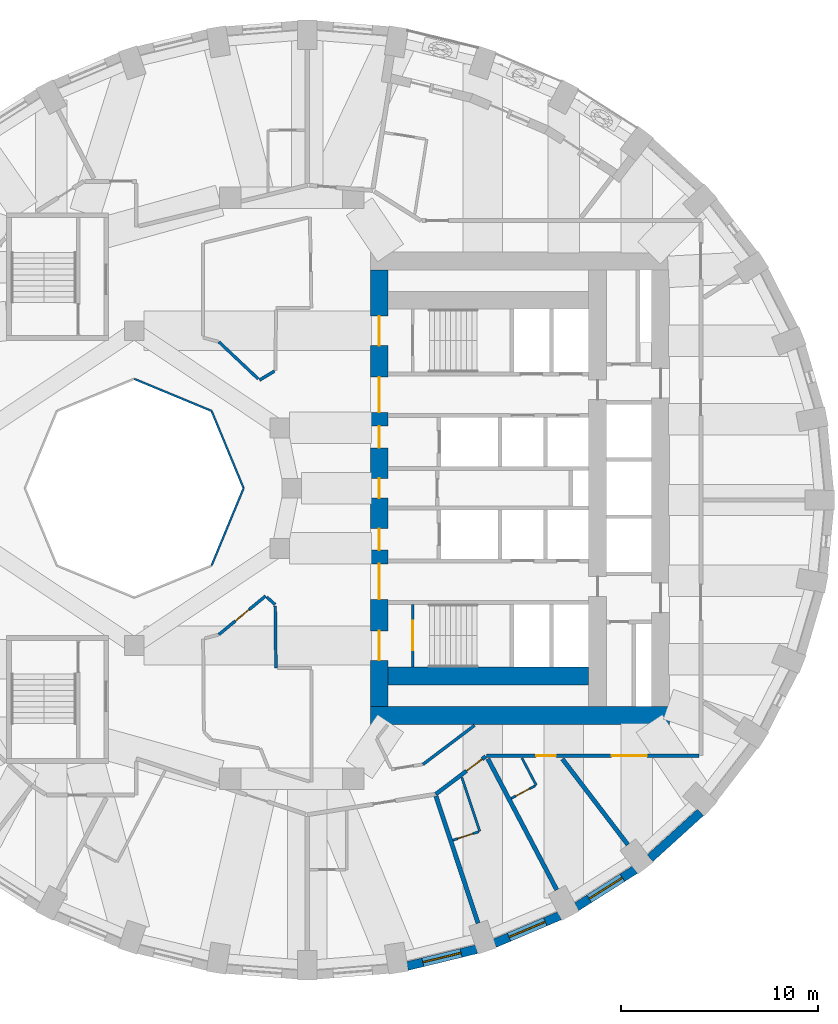
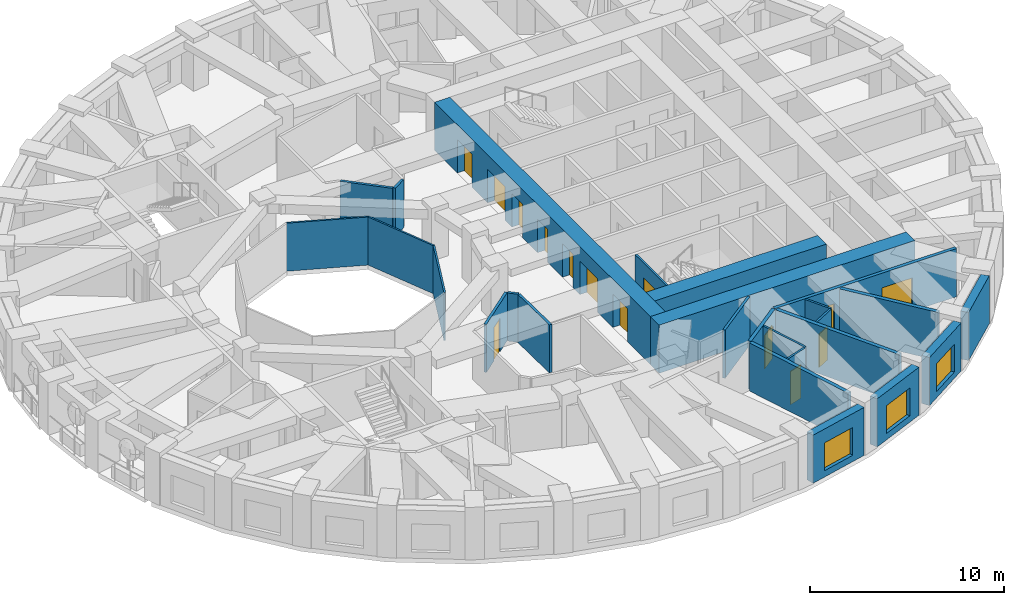
# One storey, part 5 of 12: 26 walls, 14 doors, 3 windows, 17 openings.
"""IFC4 building model written with IfcOpenShell, lengths in metres."""

from ifc_helpers import new_model, si_unit, direction, frame, frame_2d, origin, place, context, subcontext, project, spatial, rectangle, extrude, material, layer, layer_set, type_object, element, fill, save


model = new_model("IFC4")

# Units and contexts
model_context = context("Model", 3, precision=1e-05, world=origin(), true_north=direction((0.0, 1.0)))
body_context = subcontext(model_context, "Body", "Model", "MODEL_VIEW")
ifc_project = project(units=[si_unit("LENGTHUNIT", "METRE"), si_unit("AREAUNIT", "SQUARE_METRE"), si_unit("VOLUMEUNIT", "CUBIC_METRE"), si_unit("PLANEANGLEUNIT", "RADIAN"), si_unit("MASSUNIT", "GRAM", prefix="KILO")], contexts=[model_context])

# Site, building, storey
site_placement = place(None, origin())
site = spatial("IfcSite", under=ifc_project, at=site_placement, CompositionType="ELEMENT")
building_placement = place(site_placement, origin())
building = spatial("IfcBuilding", under=site, at=building_placement, Name="Taillehof Tower", CompositionType="ELEMENT")
storey_placement = place(building_placement, frame((0.0, 0.0, 98.800048828125)))
storey = spatial("IfcBuildingStorey", under=building, at=storey_placement, Name="L27", CompositionType="ELEMENT", Elevation=98.800048828125)

# Walls
ifc_material_1 = material(Name="Fire-resisting glass in steel frame", Category="steel")
ifc_layer_1 = layer(ifc_material_1, 0.10009765625)
ifc_layer_set_1 = layer_set([ifc_layer_1], Name="Atrium fire-resisting screen EI 60 100")
wall_type_1 = type_object("IfcWallType", Name="Atrium fire-resisting screen EI 60 100", PredefinedType="PARTITIONING", material=ifc_layer_set_1)
for number, where, z_axis, x_axis, name in (
    (1, (-2.44580078125, 0.0, 0.0), (0.0, 0.0, 1.0), (-0.382730523909, -0.923860025149, 0.0), "Atrium screen"),
    (2, (-8.0, 5.55419921875, 0.0), (0.0, 0.0, 1.0), (0.923860025149, -0.382730523909, 0.0), "Atrium screen"),
    (3, (-4.07275390625, 3.92724609375, 0.0), (0.0, 0.0, 1.0), (0.382730523909, -0.923860025149, 0.0), "Atrium screen"),
):
    element("IfcWall", number, at=place(storey_placement, frame(where, z_axis=z_axis, x_axis=x_axis)), inside=storey, type_object=wall_type_1, Name=name, PredefinedType="PARTITIONING", context=body_context, shape_type="SweptSolid", body=[
        extrude(rectangle(XDim=4.2509765625, YDim=0.10009765625, at=frame_2d((2.12548828125, 0.0))), origin(), (0.0, 0.0, 1.0), 3.02001953125),
    ])

# Wall, opening, window
ifc_material_2 = material(Name="Brick masonry", Category="masonry")
ifc_layer_2 = layer(ifc_material_2, 0.449951171875)
ifc_layer_set_2 = layer_set([ifc_layer_2], Name="Brick infill wall 450")
wall_type_2 = type_object("IfcWallType", Name="Brick infill wall 450", PredefinedType="SOLIDWALL", material=ifc_layer_set_2)
wall_1_placement = place(storey_placement, frame((5.87451171875, -24.29443359375, 0.0), z_axis=(0.0, 0.0, 1.0), x_axis=(0.971667603162, 0.236351579148, 0.0)))
wall_1 = element("IfcWall", 4, at=wall_1_placement, inside=storey, type_object=wall_type_2, Name="Brick wall L27 bay 29", PredefinedType="SOLIDWALL", context=body_context, shape_type="SweptSolid", body=[
    extrude(rectangle(XDim=3.635009765625, YDim=0.449951171875, at=frame_2d((1.8173828125, 0.0))), origin(), (0.0, 0.0, 1.0), 3.02001953125),
])
opening_1_placement = place(wall_1_placement, frame((0.8173828125, 0.0, 0.39990234375)))
opening_1 = element("IfcOpeningElement", 5, at=opening_1_placement, cuts=wall_1, Name="Opening W2", PredefinedType="OPENING", context=body_context, shape_type="SweptSolid", body=[
    extrude(rectangle(XDim=2.0, YDim=1.75, at=frame_2d((1.0, 0.875))), frame((0.0, 0.23486328125, 0.0), z_axis=(0.0, -1.0, 0.0), x_axis=(1.0, 0.0, 0.0)), (0.0, 0.0, 1.0), 0.469970703125),
])
ifc_material_3 = material(Name="Aluminium window frame with clear double glazing", Category="aluminium")
window_type = type_object("IfcWindowType", Name="Deep-set window 2000x1750", PartitioningType="SINGLE_PANEL", PredefinedType="WINDOW", material=ifc_material_3)
window_1_placement = place(opening_1_placement, origin())
window_1 = element("IfcWindow", 6, at=window_1_placement, inside=storey, type_object=window_type, Name="W2", OverallHeight=1.75, OverallWidth=2.0, PartitioningType="SINGLE_PANEL", PredefinedType="WINDOW", context=body_context, shape_type="SweptSolid", body=[
    extrude(rectangle(XDim=2.0, YDim=1.75, at=frame_2d((1.0, 0.875))), frame((0.0, 0.034912109375, 0.0), z_axis=(0.0, -1.0, 0.0), x_axis=(1.0, 0.0, 0.0)), (0.0, 0.0, 1.0), 0.06005859375),
])
fill(opening_1, window_1)

wall_2_placement = place(storey_placement, frame((10.318115234375, -23.133544921875, 0.0), z_axis=(0.0, 0.0, 1.0), x_axis=(0.920869643542, 0.389870619055, 0.0)))
wall_2 = element("IfcWall", 7, at=wall_2_placement, inside=storey, type_object=wall_type_2, Name="Brick wall L27 bay 30", PredefinedType="SOLIDWALL", context=body_context, shape_type="SweptSolid", body=[
    extrude(rectangle(XDim=3.59130859375, YDim=0.449951171875, at=frame_2d((1.795654296875, 0.0))), origin(), (0.0, 0.0, 1.0), 3.02001953125),
])
opening_2_placement = place(wall_2_placement, frame((0.795654296875, 0.0, 0.39990234375)))
opening_2 = element("IfcOpeningElement", 8, at=opening_2_placement, cuts=wall_2, Name="Opening W2", PredefinedType="OPENING", context=body_context, shape_type="SweptSolid", body=[
    extrude(rectangle(XDim=2.0, YDim=1.75, at=frame_2d((1.0, 0.875))), frame((0.0, 0.23486328125, 0.0), z_axis=(0.0, -1.0, 0.0), x_axis=(1.0, 0.0, 0.0)), (0.0, 0.0, 1.0), 0.469970703125),
])
window_2_placement = place(opening_2_placement, origin())
window_2 = element("IfcWindow", 9, at=window_2_placement, inside=storey, type_object=window_type, Name="W2", OverallHeight=1.75, OverallWidth=2.0, PartitioningType="SINGLE_PANEL", PredefinedType="WINDOW", context=body_context, shape_type="SweptSolid", body=[
    extrude(rectangle(XDim=2.0, YDim=1.75, at=frame_2d((1.0, 0.875))), frame((0.0, 0.034912109375, 0.0), z_axis=(0.0, -1.0, 0.0), x_axis=(1.0, 0.0, 0.0)), (0.0, 0.0, 1.0), 0.06005859375),
])
fill(opening_2, window_2)

wall_3_placement = place(storey_placement, frame((14.475341796875, -21.287109375, 0.0), z_axis=(0.0, 0.0, 1.0), x_axis=(0.843911841423, 0.536481876587, 0.0)))
wall_3 = element("IfcWall", 10, at=wall_3_placement, inside=storey, type_object=wall_type_2, Name="Brick wall L27 bay 31", PredefinedType="SOLIDWALL", context=body_context, shape_type="SweptSolid", body=[
    extrude(rectangle(XDim=3.5322265625, YDim=0.449951171875, at=frame_2d((1.76611328125, 0.0))), origin(), (0.0, 0.0, 1.0), 3.02001953125),
])
opening_3_placement = place(wall_3_placement, frame((0.76611328125, 0.0, 0.39990234375)))
opening_3 = element("IfcOpeningElement", 11, at=opening_3_placement, cuts=wall_3, Name="Opening W2", PredefinedType="OPENING", context=body_context, shape_type="SweptSolid", body=[
    extrude(rectangle(XDim=2.0, YDim=1.75, at=frame_2d((1.0, 0.875))), frame((0.0, 0.23486328125, 0.0), z_axis=(0.0, -1.0, 0.0), x_axis=(1.0, 0.0, 0.0)), (0.0, 0.0, 1.0), 0.469970703125),
])
window_3_placement = place(opening_3_placement, origin())
window_3 = element("IfcWindow", 12, at=window_3_placement, inside=storey, type_object=window_type, Name="W2", OverallHeight=1.75, OverallWidth=2.0, PartitioningType="SINGLE_PANEL", PredefinedType="WINDOW", context=body_context, shape_type="SweptSolid", body=[
    extrude(rectangle(XDim=2.0, YDim=1.75, at=frame_2d((1.0, 0.875))), frame((0.0, 0.034912109375, 0.0), z_axis=(0.0, -1.0, 0.0), x_axis=(1.0, 0.0, 0.0)), (0.0, 0.0, 1.0), 0.06005859375),
])
fill(opening_3, window_3)

# Wall
wall_4_placement = place(storey_placement, frame((18.219482421875, -18.8095703125, 0.0), z_axis=(0.0, 0.0, 1.0), x_axis=(0.740364106106, 0.672206062446, 0.0)))
element("IfcWall", 13, at=wall_4_placement, inside=storey, type_object=wall_type_2, Name="Brick wall L27 bay 32", PredefinedType="SOLIDWALL", context=body_context, shape_type="SweptSolid", body=[
    extrude(rectangle(XDim=3.4638671875, YDim=0.449951171875, at=frame_2d((1.73193359375, 0.0))), origin(), (0.0, 0.0, 1.0), 3.02001953125),
])

# Wall, openings, doors
ifc_material_4 = material(Name="Gypsum board on steel studs, two layers each side", Category="steel")
ifc_layer_3 = layer(ifc_material_4, 0.199951171875)
ifc_layer_set_3 = layer_set([ifc_layer_3], Name="Compartment wall corridor 200")
wall_type_3 = type_object("IfcWallType", Name="Compartment wall corridor 200", PredefinedType="PARTITIONING", material=ifc_layer_set_3)
wall_5_placement = place(storey_placement, frame((20.699951171875, -13.60009765625, 0.0), z_axis=(0.0, 0.0, 1.0), x_axis=(-1.0, 0.0, 0.0)))
wall_5 = element("IfcWall", 14, at=wall_5_placement, inside=storey, type_object=wall_type_3, Name="Compartment wall", PredefinedType="PARTITIONING", context=body_context, shape_type="SweptSolid", body=[
    extrude(rectangle(XDim=10.791015625, YDim=0.199951171875, at=frame_2d((5.3955078125, 0.0))), origin(), (0.0, 0.0, 1.0), 3.02001953125),
])
opening_4_placement = place(wall_5_placement, frame((7.27197265625, 0.0, 0.0)))
opening_4 = element("IfcOpeningElement", 15, at=opening_4_placement, cuts=wall_5, Name="Opening D2759", PredefinedType="OPENING", context=body_context, shape_type="SweptSolid", body=[
    extrude(rectangle(XDim=1.0, YDim=2.10009765625, at=frame_2d((0.5, 1.050048828125))), frame((0.0, 0.10986328125, 0.0), z_axis=(0.0, -1.0, 0.0), x_axis=(1.0, 0.0, 0.0)), (0.0, 0.0, 1.0), 0.219970703125),
])
opening_5_placement = place(wall_5_placement, frame((2.638427734375, 0.0, 0.0)))
opening_5 = element("IfcOpeningElement", 16, at=opening_5_placement, cuts=wall_5, Name="Opening D2761", PredefinedType="OPENING", context=body_context, shape_type="SweptSolid", body=[
    extrude(rectangle(XDim=1.800048828125, YDim=2.10009765625, at=frame_2d((0.89990234375, 1.050048828125))), frame((0.0, 0.10986328125, 0.0), z_axis=(0.0, -1.0, 0.0), x_axis=(1.0, 0.0, 0.0)), (0.0, 0.0, 1.0), 0.219970703125),
])
ifc_material_5 = material(Name="Timber door leaf in steel frame", Category="steel")
door_type_1 = type_object("IfcDoorType", Name="Guest room door EI 30 1000 x 2100", OperationType="SINGLE_SWING_LEFT", PredefinedType="DOOR", material=ifc_material_5)
door_1_placement = place(opening_4_placement, origin())
door_1 = element("IfcDoor", 17, at=door_1_placement, inside=storey, type_object=door_type_1, Name="D2759", OperationType="SINGLE_SWING_LEFT", OverallHeight=2.10009765625, OverallWidth=1.0, PredefinedType="DOOR", context=body_context, shape_type="SweptSolid", body=[
    extrude(rectangle(XDim=1.0, YDim=2.10009765625, at=frame_2d((0.5, 1.050048828125))), frame((0.0, 0.02490234375, 0.0), z_axis=(0.0, -1.0, 0.0), x_axis=(1.0, 0.0, 0.0)), (0.0, 0.0, 1.0), 0.050048828125),
])
fill(opening_4, door_1)
ifc_material_6 = material(Name="Timber door leaf in steel frame", Category="steel")
door_type_2 = type_object("IfcDoorType", Name="Lounge and meeting room double door EI 30 1800 x 2100", OperationType="SINGLE_SWING_LEFT", PredefinedType="DOOR", material=ifc_material_6)
door_2_placement = place(opening_5_placement, origin())
door_2 = element("IfcDoor", 18, at=door_2_placement, inside=storey, type_object=door_type_2, Name="D2761", OperationType="DOUBLE_DOOR_SINGLE_SWING", OverallHeight=2.10009765625, OverallWidth=1.800048828125, PredefinedType="DOOR", context=body_context, shape_type="SweptSolid", body=[
    extrude(rectangle(XDim=1.800048828125, YDim=2.10009765625, at=frame_2d((0.89990234375, 1.050048828125))), frame((0.0, 0.02490234375, 0.0), z_axis=(0.0, -1.0, 0.0), x_axis=(1.0, 0.0, 0.0)), (0.0, 0.0, 1.0), 0.050048828125),
])
fill(opening_5, door_2)

# Wall, opening, door
wall_6_placement = place(storey_placement, frame((9.861328125, -13.635986328125, 0.0), z_axis=(0.0, 0.0, 1.0), x_axis=(-0.797589990076, -0.603199973251, 0.0)))
wall_6 = element("IfcWall", 19, at=wall_6_placement, inside=storey, type_object=wall_type_3, Name="Compartment wall", PredefinedType="PARTITIONING", context=body_context, shape_type="SweptSolid", body=[
    extrude(rectangle(XDim=3.181396484375, YDim=0.199951171875, at=frame_2d((1.5908203125, 0.0))), origin(), (0.0, 0.0, 1.0), 3.02001953125),
])
opening_6_placement = place(wall_6_placement, frame((0.219970703125, 0.0, 0.0)))
opening_6 = element("IfcOpeningElement", 20, at=opening_6_placement, cuts=wall_6, Name="Opening D2757", PredefinedType="OPENING", context=body_context, shape_type="SweptSolid", body=[
    extrude(rectangle(XDim=1.0, YDim=2.10009765625, at=frame_2d((0.5, 1.050048828125))), frame((0.0, 0.10986328125, 0.0), z_axis=(0.0, -1.0, 0.0), x_axis=(1.0, 0.0, 0.0)), (0.0, 0.0, 1.0), 0.219970703125),
])
door_3_placement = place(opening_6_placement, origin())
door_3 = element("IfcDoor", 21, at=door_3_placement, inside=storey, type_object=door_type_1, Name="D2757", OperationType="SINGLE_SWING_LEFT", OverallHeight=2.10009765625, OverallWidth=1.0, PredefinedType="DOOR", context=body_context, shape_type="SweptSolid", body=[
    extrude(rectangle(XDim=1.0, YDim=2.10009765625, at=frame_2d((0.5, 1.050048828125))), frame((0.0, 0.02490234375, 0.0), z_axis=(0.0, -1.0, 0.0), x_axis=(1.0, 0.0, 0.0)), (0.0, 0.0, 1.0), 0.050048828125),
])
fill(opening_6, door_3)

# Walls
ifc_material_7 = material(Name="Gypsum board on double steel studs with mineral wool", Category="steel")
ifc_layer_4 = layer(ifc_material_7, 0.219970703125)
ifc_layer_set_4 = layer_set([ifc_layer_4], Name="Compartment wall guest room 220")
wall_type_4 = type_object("IfcWallType", Name="Compartment wall guest room 220", PredefinedType="PARTITIONING", material=ifc_layer_set_4)
wall_7_placement = place(storey_placement, frame((9.4736328125, -22.11181640625, 0.0), z_axis=(0.0, 0.0, 1.0), x_axis=(-0.314536861663, 0.949245259485, 0.0)))
element("IfcWall", 22, at=wall_7_placement, inside=storey, type_object=wall_type_4, Name="Compartment wall", PredefinedType="PARTITIONING", context=body_context, shape_type="SweptSolid", body=[
    extrude(rectangle(XDim=6.802490234375, YDim=0.219970703125, at=frame_2d((3.4013671875, 0.0))), origin(), (0.0, 0.0, 1.0), 3.02001953125),
])
wall_8_placement = place(storey_placement, frame((13.47607421875, -20.417724609375, 0.0), z_axis=(0.0, 0.0, 1.0), x_axis=(-0.465332071749, 0.885136183308, 0.0)))
element("IfcWall", 23, at=wall_8_placement, inside=storey, type_object=wall_type_4, Name="Compartment wall", PredefinedType="PARTITIONING", context=body_context, shape_type="SweptSolid", body=[
    extrude(rectangle(XDim=7.52880859375, YDim=0.219970703125, at=frame_2d((3.764404296875, 0.0))), origin(), (0.0, 0.0, 1.0), 3.02001953125),
])
wall_9_placement = place(storey_placement, frame((17.08935546875, -18.120849609375, 0.0), z_axis=(0.0, 0.0, 1.0), x_axis=(-0.607064955951, 0.794652212767, 0.0)))
element("IfcWall", 24, at=wall_9_placement, inside=storey, type_object=wall_type_4, Name="Compartment wall", PredefinedType="PARTITIONING", context=body_context, shape_type="SweptSolid", body=[
    extrude(rectangle(XDim=5.483154296875, YDim=0.219970703125, at=frame_2d((2.74169921875, 0.0))), origin(), (0.0, 0.0, 1.0), 3.02001953125),
])
ifc_material_8 = material(Name="Gypsum board on steel studs, two layers each side", Category="steel")
ifc_layer_5 = layer(ifc_material_8, 0.14990234375)
ifc_layer_set_5 = layer_set([ifc_layer_5], Name="Compartment wall service room 150")
wall_type_5 = type_object("IfcWallType", Name="Compartment wall service room 150", PredefinedType="PARTITIONING", material=ifc_layer_set_5)
wall_10_placement = place(storey_placement, frame((-0.87353515625, 5.95166015625, 0.0), z_axis=(0.0, 0.0, 1.0), x_axis=(-0.857759476535, -0.514051242984, 0.0)))
element("IfcWall", 25, at=wall_10_placement, inside=storey, type_object=wall_type_5, Name="Compartment wall", PredefinedType="PARTITIONING", context=body_context, shape_type="SweptSolid", body=[
    extrude(rectangle(XDim=0.888671875, YDim=0.14990234375, at=frame_2d((0.4443359375, 0.0))), origin(), (0.0, 0.0, 1.0), 3.02001953125),
])
wall_11_placement = place(storey_placement, frame((-1.6943359375, 5.549560546875, 0.0), z_axis=(0.0, 0.0, 1.0), x_axis=(-0.728018179622, 0.685557824067, 0.0)))
element("IfcWall", 26, at=wall_11_placement, inside=storey, type_object=wall_type_5, Name="Compartment wall", PredefinedType="PARTITIONING", context=body_context, shape_type="SweptSolid", body=[
    extrude(rectangle(XDim=2.760009765625, YDim=0.14990234375, at=frame_2d((1.3798828125, 0.0))), origin(), (0.0, 0.0, 1.0), 3.02001953125),
])

# Wall, opening, door
wall_12_placement = place(storey_placement, frame((-3.70361328125, -7.441650390625, 0.0), z_axis=(0.0, 0.0, 1.0), x_axis=(0.771379108851, 0.636375887686, 0.0)))
wall_12 = element("IfcWall", 27, at=wall_12_placement, inside=storey, type_object=wall_type_5, Name="Compartment wall", PredefinedType="PARTITIONING", context=body_context, shape_type="SweptSolid", body=[
    extrude(rectangle(XDim=3.083251953125, YDim=0.14990234375, at=frame_2d((1.54150390625, 0.0))), origin(), (0.0, 0.0, 1.0), 3.02001953125),
])
opening_7_placement = place(wall_12_placement, frame((1.091552734375, 0.0, 0.0)))
opening_7 = element("IfcOpeningElement", 28, at=opening_7_placement, cuts=wall_12, Name="Opening D2766", PredefinedType="OPENING", context=body_context, shape_type="SweptSolid", body=[
    extrude(rectangle(XDim=0.89990234375, YDim=2.10009765625, at=frame_2d((0.449951171875, 1.050048828125))), frame((0.0, 0.0849609375, 0.0), z_axis=(0.0, -1.0, 0.0), x_axis=(1.0, 0.0, 0.0)), (0.0, 0.0, 1.0), 0.169921875),
])
ifc_material_9 = material(Name="Timber door leaf in steel frame", Category="steel")
door_type_3 = type_object("IfcDoorType", Name="Service room door EI 30 900 x 2100", OperationType="SINGLE_SWING_LEFT", PredefinedType="DOOR", material=ifc_material_9)
door_4_placement = place(opening_7_placement, origin())
door_4 = element("IfcDoor", 29, at=door_4_placement, inside=storey, type_object=door_type_3, Name="D2766", OperationType="SINGLE_SWING_LEFT", OverallHeight=2.10009765625, OverallWidth=0.89990234375, PredefinedType="DOOR", context=body_context, shape_type="SweptSolid", body=[
    extrude(rectangle(XDim=0.89990234375, YDim=2.10009765625, at=frame_2d((0.449951171875, 1.050048828125))), frame((0.0, 0.02490234375, 0.0), z_axis=(0.0, -1.0, 0.0), x_axis=(1.0, 0.0, 0.0)), (0.0, 0.0, 1.0), 0.050048828125),
])
fill(opening_7, door_4)

# Walls
wall_13_placement = place(storey_placement, frame((-1.265625, -5.533203125, 0.0), z_axis=(0.0, 0.0, 1.0), x_axis=(0.740704364941, -0.671831112525, 0.0)))
element("IfcWall", 30, at=wall_13_placement, inside=storey, type_object=wall_type_5, Name="Compartment wall", PredefinedType="PARTITIONING", context=body_context, shape_type="SweptSolid", body=[
    extrude(rectangle(XDim=0.577880859375, YDim=0.14990234375, at=frame_2d((0.2890625, 0.0))), origin(), (0.0, 0.0, 1.0), 3.02001953125),
])
wall_14_placement = place(storey_placement, frame((-0.8369140625, -5.9814453125, 0.0), z_axis=(0.0, 0.0, 1.0), x_axis=(0.011634287273, -0.999932319389, 0.0)))
element("IfcWall", 31, at=wall_14_placement, inside=storey, type_object=wall_type_5, Name="Compartment wall", PredefinedType="PARTITIONING", context=body_context, shape_type="SweptSolid", body=[
    extrude(rectangle(XDim=3.168701171875, YDim=0.14990234375, at=frame_2d((1.58447265625, 0.0))), origin(), (0.0, 0.0, 1.0), 3.02001953125),
])
wall_15_placement = place(storey_placement, frame((9.299560546875, -12.054931640625, 0.0), z_axis=(0.0, 0.0, 1.0), x_axis=(-0.79762360872, -0.603155517933, 0.0)))
element("IfcWall", 32, at=wall_15_placement, inside=storey, type_object=wall_type_5, Name="Compartment wall", PredefinedType="PARTITIONING", context=body_context, shape_type="SweptSolid", body=[
    extrude(rectangle(XDim=3.2880859375, YDim=0.14990234375, at=frame_2d((1.64404296875, 0.0))), origin(), (0.0, 0.0, 1.0), 3.02001953125),
])

# Wall, openings, doors
ifc_material_10 = material(Name="Concrete C80/95", Category="concrete")
ifc_layer_6 = layer(ifc_material_10, 0.89990234375)
ifc_layer_set_6 = layer_set([ifc_layer_6], Name="Core wall C80/95 900")
wall_type_6 = type_object("IfcWallType", Name="Core wall C80/95 900", PredefinedType="SHEAR", material=ifc_layer_set_6)
wall_16_placement = place(storey_placement, frame((4.449951171875, -11.10009765625, 0.0), z_axis=(0.0, 0.0, 1.0), x_axis=(0.0, 1.0, 0.0)))
wall_16 = element("IfcWall", 33, at=wall_16_placement, inside=storey, type_object=wall_type_6, Name="Core wall CW01", PredefinedType="SHEAR", context=body_context, shape_type="SweptSolid", body=[
    extrude(rectangle(XDim=22.2001953125, YDim=0.89990234375, at=frame_2d((11.10009765625, 0.0))), origin(), (0.0, 0.0, 1.0), 3.02001953125),
])
opening_8_placement = place(wall_16_placement, frame((2.35009765625, 0.0, 0.0)))
opening_8 = element("IfcOpeningElement", 34, at=opening_8_placement, cuts=wall_16, Name="Opening D2701", PredefinedType="OPENING", context=body_context, shape_type="SweptSolid", body=[
    extrude(rectangle(XDim=1.5, YDim=2.10009765625, at=frame_2d((0.75, 1.050048828125))), frame((0.0, 0.4599609375, 0.0), z_axis=(0.0, -1.0, 0.0), x_axis=(1.0, 0.0, 0.0)), (0.0, 0.0, 1.0), 0.919921875),
])
opening_9_placement = place(wall_16_placement, frame((5.449951171875, 0.0, 0.0)))
opening_9 = element("IfcOpeningElement", 35, at=opening_9_placement, cuts=wall_16, Name="Opening D2702", PredefinedType="OPENING", context=body_context, shape_type="SweptSolid", body=[
    extrude(rectangle(XDim=1.800048828125, YDim=2.10009765625, at=frame_2d((0.89990234375, 1.050048828125))), frame((0.0, 0.4599609375, 0.0), z_axis=(0.0, -1.0, 0.0), x_axis=(1.0, 0.0, 0.0)), (0.0, 0.0, 1.0), 0.919921875),
])
opening_10_placement = place(wall_16_placement, frame((7.949951171875, 0.0, 0.0)))
opening_10 = element("IfcOpeningElement", 36, at=opening_10_placement, cuts=wall_16, Name="Opening D2703", PredefinedType="OPENING", context=body_context, shape_type="SweptSolid", body=[
    extrude(rectangle(XDim=1.10009765625, YDim=2.10009765625, at=frame_2d((0.550048828125, 1.050048828125))), frame((0.0, 0.4599609375, 0.0), z_axis=(0.0, -1.0, 0.0), x_axis=(1.0, 0.0, 0.0)), (0.0, 0.0, 1.0), 0.919921875),
])
opening_11_placement = place(wall_16_placement, frame((10.60009765625, 0.0, 0.0)))
opening_11 = element("IfcOpeningElement", 37, at=opening_11_placement, cuts=wall_16, Name="Opening D2704", PredefinedType="OPENING", context=body_context, shape_type="SweptSolid", body=[
    extrude(rectangle(XDim=1.0, YDim=2.10009765625, at=frame_2d((0.5, 1.050048828125))), frame((0.0, 0.4599609375, 0.0), z_axis=(0.0, -1.0, 0.0), x_axis=(1.0, 0.0, 0.0)), (0.0, 0.0, 1.0), 0.919921875),
])
opening_12_placement = place(wall_16_placement, frame((13.14990234375, 0.0, 0.0)))
opening_12 = element("IfcOpeningElement", 38, at=opening_12_placement, cuts=wall_16, Name="Opening D2705", PredefinedType="OPENING", context=body_context, shape_type="SweptSolid", body=[
    extrude(rectangle(XDim=1.10009765625, YDim=2.10009765625, at=frame_2d((0.550048828125, 1.050048828125))), frame((0.0, 0.4599609375, 0.0), z_axis=(0.0, -1.0, 0.0), x_axis=(1.0, 0.0, 0.0)), (0.0, 0.0, 1.0), 0.919921875),
])
opening_13_placement = place(wall_16_placement, frame((14.949951171875, 0.0, 0.0)))
opening_13 = element("IfcOpeningElement", 39, at=opening_13_placement, cuts=wall_16, Name="Opening D2706", PredefinedType="OPENING", context=body_context, shape_type="SweptSolid", body=[
    extrude(rectangle(XDim=1.800048828125, YDim=2.10009765625, at=frame_2d((0.89990234375, 1.050048828125))), frame((0.0, 0.4599609375, 0.0), z_axis=(0.0, -1.0, 0.0), x_axis=(1.0, 0.0, 0.0)), (0.0, 0.0, 1.0), 0.919921875),
])
opening_14_placement = place(wall_16_placement, frame((18.35009765625, 0.0, 0.0)))
opening_14 = element("IfcOpeningElement", 40, at=opening_14_placement, cuts=wall_16, Name="Opening D2707", PredefinedType="OPENING", context=body_context, shape_type="SweptSolid", body=[
    extrude(rectangle(XDim=1.5, YDim=2.10009765625, at=frame_2d((0.75, 1.050048828125))), frame((0.0, 0.4599609375, 0.0), z_axis=(0.0, -1.0, 0.0), x_axis=(1.0, 0.0, 0.0)), (0.0, 0.0, 1.0), 0.919921875),
])
ifc_material_11 = material(Name="Steel-faced fire door", Category="steel")
door_type_4 = type_object("IfcDoorType", Name="Firefighting lobby door 1100x2100", OperationType="SINGLE_SWING_RIGHT", PredefinedType="DOOR", material=ifc_material_11)
door_5_placement = place(opening_10_placement, origin())
door_5 = element("IfcDoor", 41, at=door_5_placement, inside=storey, type_object=door_type_4, Name="Firefighting lobby door FFL-S", OperationType="SINGLE_SWING_RIGHT", OverallHeight=2.10009765625, OverallWidth=1.10009765625, PredefinedType="DOOR", context=body_context, shape_type="SweptSolid", body=[
    extrude(rectangle(XDim=1.10009765625, YDim=2.10009765625, at=frame_2d((0.550048828125, 1.050048828125))), frame((0.0, 0.02490234375, 0.0), z_axis=(0.0, -1.0, 0.0), x_axis=(1.0, 0.0, 0.0)), (0.0, 0.0, 1.0), 0.050048828125),
])
fill(opening_10, door_5)
door_6_placement = place(opening_12_placement, origin())
door_6 = element("IfcDoor", 42, at=door_6_placement, inside=storey, type_object=door_type_4, Name="Firefighting lobby door FFL-N", OperationType="SINGLE_SWING_LEFT", OverallHeight=2.10009765625, OverallWidth=1.10009765625, PredefinedType="DOOR", context=body_context, shape_type="SweptSolid", body=[
    extrude(rectangle(XDim=1.10009765625, YDim=2.10009765625, at=frame_2d((0.550048828125, 1.050048828125))), frame((0.0, 0.02490234375, 0.0), z_axis=(0.0, -1.0, 0.0), x_axis=(1.0, 0.0, 0.0)), (0.0, 0.0, 1.0), 0.050048828125),
])
fill(opening_12, door_6)
ifc_material_12 = material(Name="Steel-faced fire door", Category="steel")
door_type_5 = type_object("IfcDoorType", Name="Lift lobby door 1800x2100", OperationType="DOUBLE_DOOR_SINGLE_SWING", PredefinedType="DOOR", material=ifc_material_12)
door_7_placement = place(opening_9_placement, origin())
door_7 = element("IfcDoor", 43, at=door_7_placement, inside=storey, type_object=door_type_5, Name="Lift lobby door LL-S", OperationType="DOUBLE_DOOR_SINGLE_SWING", OverallHeight=2.10009765625, OverallWidth=1.800048828125, PredefinedType="DOOR", context=body_context, shape_type="SweptSolid", body=[
    extrude(rectangle(XDim=1.800048828125, YDim=2.10009765625, at=frame_2d((0.89990234375, 1.050048828125))), frame((0.0, 0.02490234375, 0.0), z_axis=(0.0, -1.0, 0.0), x_axis=(1.0, 0.0, 0.0)), (0.0, 0.0, 1.0), 0.050048828125),
])
fill(opening_9, door_7)
door_8_placement = place(opening_13_placement, origin())
door_8 = element("IfcDoor", 44, at=door_8_placement, inside=storey, type_object=door_type_5, Name="Lift lobby door LL-N", OperationType="DOUBLE_DOOR_SINGLE_SWING", OverallHeight=2.10009765625, OverallWidth=1.800048828125, PredefinedType="DOOR", context=body_context, shape_type="SweptSolid", body=[
    extrude(rectangle(XDim=1.800048828125, YDim=2.10009765625, at=frame_2d((0.89990234375, 1.050048828125))), frame((0.0, 0.02490234375, 0.0), z_axis=(0.0, -1.0, 0.0), x_axis=(1.0, 0.0, 0.0)), (0.0, 0.0, 1.0), 0.050048828125),
])
fill(opening_13, door_8)
ifc_material_13 = material(Name="Steel-faced fire door", Category="steel")
door_type_6 = type_object("IfcDoorType", Name="Service door 1000x2100", OperationType="SINGLE_SWING_RIGHT", PredefinedType="DOOR", material=ifc_material_13)
door_9_placement = place(opening_11_placement, origin())
door_9 = element("IfcDoor", 45, at=door_9_placement, inside=storey, type_object=door_type_6, Name="Service door SV", OperationType="SINGLE_SWING_RIGHT", OverallHeight=2.10009765625, OverallWidth=1.0, PredefinedType="DOOR", context=body_context, shape_type="SweptSolid", body=[
    extrude(rectangle(XDim=1.0, YDim=2.10009765625, at=frame_2d((0.5, 1.050048828125))), frame((0.0, 0.02490234375, 0.0), z_axis=(0.0, -1.0, 0.0), x_axis=(1.0, 0.0, 0.0)), (0.0, 0.0, 1.0), 0.050048828125),
])
fill(opening_11, door_9)
ifc_material_14 = material(Name="Steel-faced fire door", Category="steel")
door_type_7 = type_object("IfcDoorType", Name="Stair door 1500x2100", OperationType="DOUBLE_DOOR_SINGLE_SWING", PredefinedType="DOOR", material=ifc_material_14)
door_10_placement = place(opening_8_placement, origin())
door_10 = element("IfcDoor", 46, at=door_10_placement, inside=storey, type_object=door_type_7, Name="Stair door S2", OperationType="DOUBLE_DOOR_SINGLE_SWING", OverallHeight=2.10009765625, OverallWidth=1.5, PredefinedType="DOOR", context=body_context, shape_type="SweptSolid", body=[
    extrude(rectangle(XDim=1.5, YDim=2.10009765625, at=frame_2d((0.75, 1.050048828125))), frame((0.0, 0.02490234375, 0.0), z_axis=(0.0, -1.0, 0.0), x_axis=(1.0, 0.0, 0.0)), (0.0, 0.0, 1.0), 0.050048828125),
])
fill(opening_8, door_10)
door_11_placement = place(opening_14_placement, origin())
door_11 = element("IfcDoor", 47, at=door_11_placement, inside=storey, type_object=door_type_7, Name="Stair door S1", OperationType="DOUBLE_DOOR_SINGLE_SWING", OverallHeight=2.10009765625, OverallWidth=1.5, PredefinedType="DOOR", context=body_context, shape_type="SweptSolid", body=[
    extrude(rectangle(XDim=1.5, YDim=2.10009765625, at=frame_2d((0.75, 1.050048828125))), frame((0.0, 0.02490234375, 0.0), z_axis=(0.0, -1.0, 0.0), x_axis=(1.0, 0.0, 0.0)), (0.0, 0.0, 1.0), 0.050048828125),
])
fill(opening_14, door_11)

# Walls
wall_17_placement = place(storey_placement, frame((4.0, -11.550048828125, 0.0), z_axis=(0.0, 0.0, 1.0), x_axis=(1.0, 0.0, 0.0)))
element("IfcWall", 48, at=wall_17_placement, inside=storey, type_object=wall_type_6, Name="Core wall CW04", PredefinedType="SHEAR", context=body_context, shape_type="SweptSolid", body=[
    extrude(rectangle(XDim=15.199951171875, YDim=0.89990234375, at=frame_2d((7.60009765625, 0.0))), origin(), (0.0, 0.0, 1.0), 3.02001953125),
])
wall_18_placement = place(storey_placement, frame((4.89990234375, -9.550048828125, 0.0), z_axis=(0.0, 0.0, 1.0), x_axis=(1.0, 0.0, 0.0)))
element("IfcWall", 49, at=wall_18_placement, inside=storey, type_object=wall_type_6, Name="Core wall CW07", PredefinedType="SHEAR", context=body_context, shape_type="SweptSolid", body=[
    extrude(rectangle(XDim=10.2001953125, YDim=0.89990234375, at=frame_2d((5.10009765625, 0.0))), origin(), (0.0, 0.0, 1.0), 3.02001953125),
])
ifc_material_15 = material(Name="Gypsum board on steel studs, moisture resistant", Category="steel")
ifc_layer_7 = layer(ifc_material_15, 0.1201171875)
ifc_layer_set_7 = layer_set([ifc_layer_7], Name="En-suite wall 120")
wall_type_7 = type_object("IfcWallType", Name="En-suite wall 120", PredefinedType="PARTITIONING", material=ifc_layer_set_7)
wall_19_placement = place(storey_placement, frame((8.650634765625, -14.700927734375, 0.0), z_axis=(0.0, 0.0, 1.0), x_axis=(0.314630509088, -0.949214223846, 0.0)))
element("IfcWall", 50, at=wall_19_placement, inside=storey, type_object=wall_type_7, Name="En-suite wall", PredefinedType="PARTITIONING", context=body_context, shape_type="SweptSolid", body=[
    extrude(rectangle(XDim=2.8896484375, YDim=0.1201171875, at=frame_2d((1.44482421875, 0.0))), origin(), (0.0, 0.0, 1.0), 3.02001953125),
])
wall_20_placement = place(storey_placement, frame((11.705322265625, -13.718017578125, 0.0), z_axis=(0.0, 0.0, 1.0), x_axis=(0.465437210927, -0.885080901773, 0.0)))
element("IfcWall", 51, at=wall_20_placement, inside=storey, type_object=wall_type_7, Name="En-suite wall", PredefinedType="PARTITIONING", context=body_context, shape_type="SweptSolid", body=[
    extrude(rectangle(XDim=1.56201171875, YDim=0.1201171875, at=frame_2d((0.781005859375, 0.0))), origin(), (0.0, 0.0, 1.0), 3.02001953125),
])

# Wall, opening, door
wall_21_placement = place(storey_placement, frame((9.5029296875, -17.462646484375, 0.0), z_axis=(0.0, 0.0, 1.0), x_axis=(-0.949247859497, -0.314529014943, 0.0)))
wall_21 = element("IfcWall", 52, at=wall_21_placement, inside=storey, type_object=wall_type_7, Name="En-suite wall", PredefinedType="PARTITIONING", context=body_context, shape_type="SweptSolid", body=[
    extrude(rectangle(XDim=1.380126953125, YDim=0.1201171875, at=frame_2d((0.68994140625, 0.0))), origin(), (0.0, 0.0, 1.0), 3.02001953125),
])
opening_15_placement = place(wall_21_placement, frame((0.315185546875, 0.0, 0.0)))
opening_15 = element("IfcOpeningElement", 53, at=opening_15_placement, cuts=wall_21, Name="Opening D2758", PredefinedType="OPENING", context=body_context, shape_type="SweptSolid", body=[
    extrude(rectangle(XDim=0.800048828125, YDim=2.10009765625, at=frame_2d((0.39990234375, 1.050048828125))), frame((0.0, 0.070068359375, 0.0), z_axis=(0.0, -1.0, 0.0), x_axis=(1.0, 0.0, 0.0)), (0.0, 0.0, 1.0), 0.14013671875),
])
ifc_material_16 = material(Name="Timber door leaf in steel frame", Category="steel")
door_type_8 = type_object("IfcDoorType", Name="En-suite door 800 x 2100", OperationType="SINGLE_SWING_LEFT", PredefinedType="DOOR", material=ifc_material_16)
door_12_placement = place(opening_15_placement, origin())
door_12 = element("IfcDoor", 54, at=door_12_placement, inside=storey, type_object=door_type_8, Name="D2758", OperationType="SINGLE_SWING_RIGHT", OverallHeight=2.10009765625, OverallWidth=0.800048828125, PredefinedType="DOOR", context=body_context, shape_type="SweptSolid", body=[
    extrude(rectangle(XDim=0.800048828125, YDim=2.10009765625, at=frame_2d((0.39990234375, 1.050048828125))), frame((0.0, 0.02490234375, 0.0), z_axis=(0.0, -1.0, 0.0), x_axis=(1.0, 0.0, 0.0)), (0.0, 0.0, 1.0), 0.050048828125),
])
fill(opening_15, door_12)

wall_22_placement = place(storey_placement, frame((12.379150390625, -15.12841796875, 0.0), z_axis=(0.0, 0.0, 1.0), x_axis=(-0.885113826366, -0.465374595757, 0.0)))
wall_22 = element("IfcWall", 55, at=wall_22_placement, inside=storey, type_object=wall_type_7, Name="En-suite wall", PredefinedType="PARTITIONING", context=body_context, shape_type="SweptSolid", body=[
    extrude(rectangle(XDim=1.38037109375, YDim=0.1201171875, at=frame_2d((0.690185546875, 0.0))), origin(), (0.0, 0.0, 1.0), 3.02001953125),
])
opening_16_placement = place(wall_22_placement, frame((0.31494140625, 0.0, 0.0)))
opening_16 = element("IfcOpeningElement", 56, at=opening_16_placement, cuts=wall_22, Name="Opening D2760", PredefinedType="OPENING", context=body_context, shape_type="SweptSolid", body=[
    extrude(rectangle(XDim=0.800048828125, YDim=2.10009765625, at=frame_2d((0.39990234375, 1.050048828125))), frame((0.0, 0.070068359375, 0.0), z_axis=(0.0, -1.0, 0.0), x_axis=(1.0, 0.0, 0.0)), (0.0, 0.0, 1.0), 0.14013671875),
])
door_13_placement = place(opening_16_placement, origin())
door_13 = element("IfcDoor", 57, at=door_13_placement, inside=storey, type_object=door_type_8, Name="D2760", OperationType="SINGLE_SWING_LEFT", OverallHeight=2.10009765625, OverallWidth=0.800048828125, PredefinedType="DOOR", context=body_context, shape_type="SweptSolid", body=[
    extrude(rectangle(XDim=0.800048828125, YDim=2.10009765625, at=frame_2d((0.39990234375, 1.050048828125))), frame((0.0, 0.02490234375, 0.0), z_axis=(0.0, -1.0, 0.0), x_axis=(1.0, 0.0, 0.0)), (0.0, 0.0, 1.0), 0.050048828125),
])
fill(opening_16, door_13)

ifc_material_17 = material(Name="Concrete C50/60", Category="concrete")
ifc_layer_8 = layer(ifc_material_17, 0.1201171875)
ifc_layer_set_8 = layer_set([ifc_layer_8], Name="Stair lobby wall C50/60 120")
wall_type_8 = type_object("IfcWallType", Name="Stair lobby wall C50/60 120", PredefinedType="SHEAR", material=ifc_layer_set_8)
wall_23_placement = place(storey_placement, frame((6.159912109375, -9.10009765625, 0.0), z_axis=(0.0, 0.0, 1.0), x_axis=(0.0, 1.0, 0.0)))
wall_23 = element("IfcWall", 58, at=wall_23_placement, inside=storey, type_object=wall_type_8, Name="Compartment wall SW", PredefinedType="SHEAR", context=body_context, shape_type="SweptSolid", body=[
    extrude(rectangle(XDim=3.2001953125, YDim=0.1201171875, at=frame_2d((1.60009765625, 0.0))), origin(), (0.0, 0.0, 1.0), 3.02001953125),
])
opening_17_placement = place(wall_23_placement, frame((0.85009765625, 0.0, 0.0)))
opening_17 = element("IfcOpeningElement", 59, at=opening_17_placement, cuts=wall_23, Name="Opening D2711", PredefinedType="OPENING", context=body_context, shape_type="SweptSolid", body=[
    extrude(rectangle(XDim=1.5, YDim=2.10009765625, at=frame_2d((0.75, 1.050048828125))), frame((0.0, 0.070068359375, 0.0), z_axis=(0.0, -1.0, 0.0), x_axis=(1.0, 0.0, 0.0)), (0.0, 0.0, 1.0), 0.14013671875),
])
door_14_placement = place(opening_17_placement, origin())
door_14 = element("IfcDoor", 60, at=door_14_placement, inside=storey, type_object=door_type_7, Name="Stair lobby door S2", OperationType="DOUBLE_DOOR_SINGLE_SWING", OverallHeight=2.10009765625, OverallWidth=1.5, PredefinedType="DOOR", context=body_context, shape_type="SweptSolid", body=[
    extrude(rectangle(XDim=1.5, YDim=2.10009765625, at=frame_2d((0.75, 1.050048828125))), frame((0.0, 0.02490234375, 0.0), z_axis=(0.0, -1.0, 0.0), x_axis=(1.0, 0.0, 0.0)), (0.0, 0.0, 1.0), 0.050048828125),
])
fill(opening_17, door_14)

save(model, "model.ifc")
